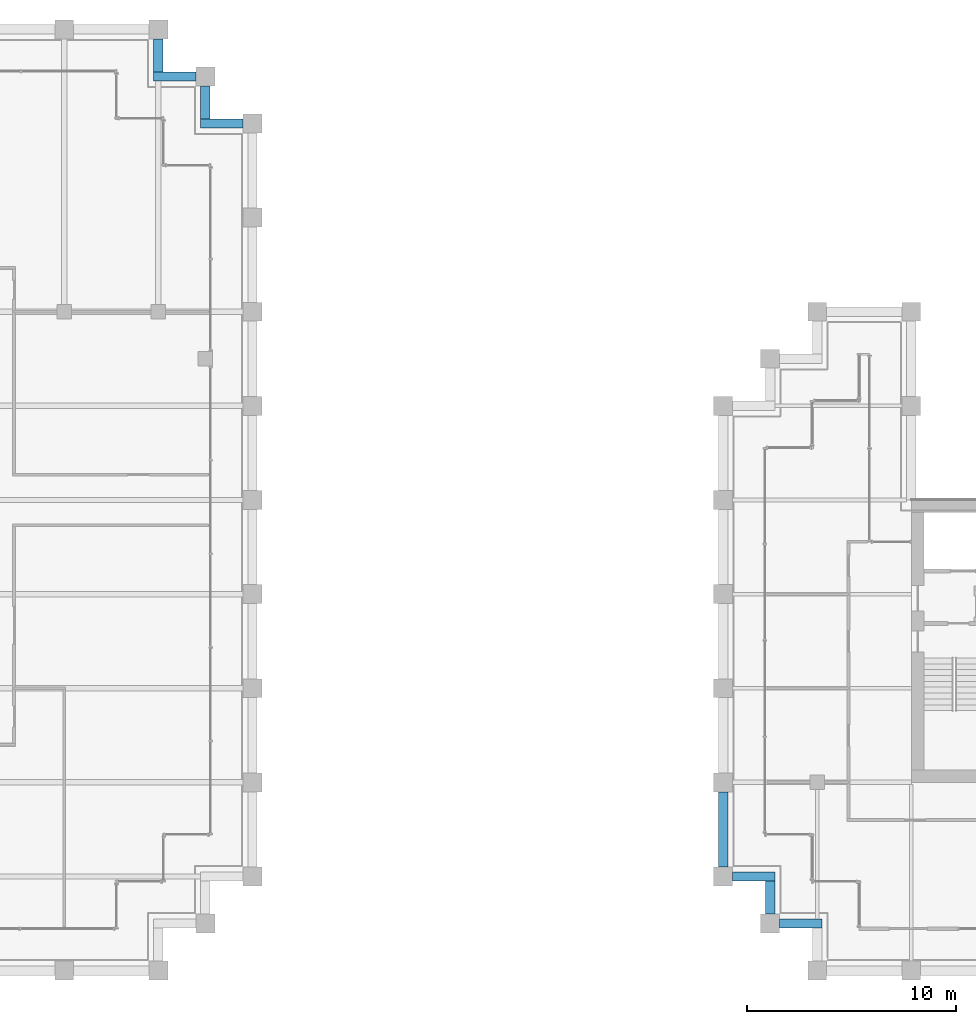
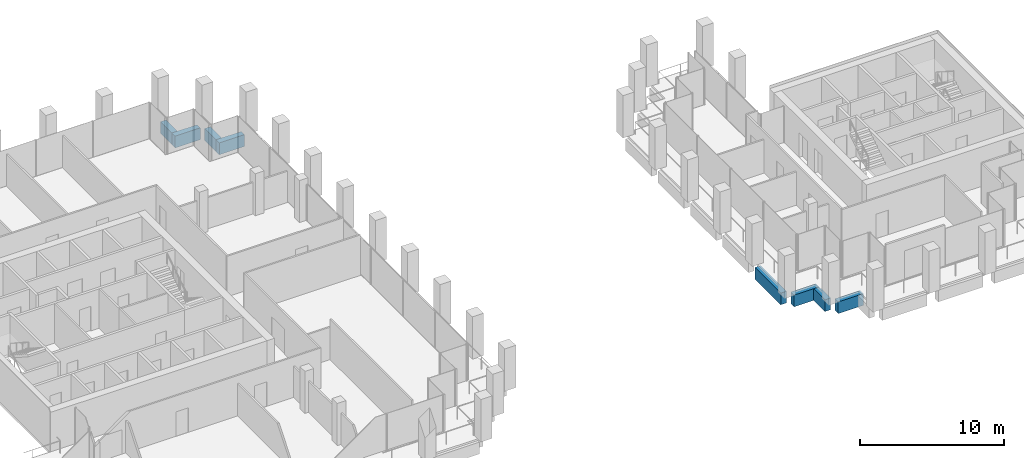
# One storey, part 27 of 40: 8 beams.
"""IFC4 building model written with IfcOpenShell, lengths in metres."""

from ifc_helpers import new_model, si_unit, direction, frame, origin, origin_2d, place, context, subcontext, project, spatial, rectangle, extrude, material, material_profile, profile_set, type_object, element, save


model = new_model("IFC4")

# Units and contexts
model_context = context("Model", 3, precision=1e-05, world=origin(), true_north=direction((0.0, 1.0)))
body_context = subcontext(model_context, "Body", "Model", "MODEL_VIEW")
ifc_project = project(units=[si_unit("LENGTHUNIT", "METRE"), si_unit("AREAUNIT", "SQUARE_METRE"), si_unit("VOLUMEUNIT", "CUBIC_METRE"), si_unit("PLANEANGLEUNIT", "RADIAN"), si_unit("MASSUNIT", "GRAM", prefix="KILO")], contexts=[model_context])

# Site, building, storey
site_placement = place(None, origin())
site = spatial("IfcSite", under=ifc_project, at=site_placement, CompositionType="ELEMENT")
building_placement = place(site_placement, origin())
building = spatial("IfcBuilding", under=site, at=building_placement, Name="Altepetl Exchange Towers", CompositionType="ELEMENT")
storey_placement = place(building_placement, frame((0.0, 0.0, 169.0)))
storey = spatial("IfcBuildingStorey", under=building, at=storey_placement, Name="L42", CompositionType="ELEMENT", Elevation=169.0)

# Beams
ifc_material_1 = material(Name="Concrete C50/60 precast with cantera rosa facing", Category="concrete")
ifc_material_profile_1 = material_profile(ifc_material_1, rectangle(XDim=0.449951171875, YDim=1.0, at=origin_2d()), Name="450 x 1000")
ifc_profile_set_1 = profile_set([ifc_material_profile_1], Name="Concrete C50/60 precast with cantera rosa facing")
beam_type_1 = type_object("IfcBeamType", Name="Spandrel beam 450x1000 cantera rosa", PredefinedType="SPANDREL", material=ifc_profile_set_1)
beam_1_placement = place(storey_placement, frame((71.550048828125, 67.5, -0.64990234375), z_axis=(-1.0, 0.0, 0.0), x_axis=(0.0, -1.0, 0.0)))
element("IfcBeam", 1, at=beam_1_placement, inside=storey, type_object=beam_type_1, Name="sp:A:L42:020", PredefinedType="SPANDREL", context=body_context, shape_type="SweptSolid", body=[
    extrude(rectangle(XDim=0.449951171875, YDim=1.0, at=origin_2d()), origin(), (0.0, 0.0, 1.0), 2.025146484375),
])
beam_2_placement = place(storey_placement, frame((69.75, 67.72509765625, -0.64990234375), z_axis=(0.0, 1.0, 0.0), x_axis=(-1.0, 0.0, 0.0)))
element("IfcBeam", 2, at=beam_2_placement, inside=storey, type_object=beam_type_1, Name="sp:A:L42:021", PredefinedType="SPANDREL", context=body_context, shape_type="SweptSolid", body=[
    extrude(rectangle(XDim=0.449951171875, YDim=1.0, at=origin_2d()), origin(), (0.0, 0.0, 1.0), 1.574951171875),
])
beam_3_placement = place(storey_placement, frame((69.300048828125, 69.75, -0.64990234375), z_axis=(-1.0, 0.0, 0.0), x_axis=(0.0, -1.0, 0.0)))
element("IfcBeam", 3, at=beam_3_placement, inside=storey, type_object=beam_type_1, Name="sp:A:L42:022", PredefinedType="SPANDREL", context=body_context, shape_type="SweptSolid", body=[
    extrude(rectangle(XDim=0.449951171875, YDim=1.0, at=origin_2d()), origin(), (0.0, 0.0, 1.0), 2.025146484375),
])
beam_4_placement = place(storey_placement, frame((67.5, 69.97509765625, -0.64990234375), z_axis=(0.0, 1.0, 0.0), x_axis=(-1.0, 0.0, 0.0)))
element("IfcBeam", 4, at=beam_4_placement, inside=storey, type_object=beam_type_1, Name="sp:A:L42:023", PredefinedType="SPANDREL", context=body_context, shape_type="SweptSolid", body=[
    extrude(rectangle(XDim=0.449951171875, YDim=1.0, at=origin_2d()), origin(), (0.0, 0.0, 1.0), 1.574951171875),
])
ifc_material_2 = material(Name="Concrete C50/60 precast with tezontle facing", Category="concrete")
ifc_material_profile_2 = material_profile(ifc_material_2, rectangle(XDim=0.449951171875, YDim=1.0, at=origin_2d()), Name="450 x 1000")
ifc_profile_set_2 = profile_set([ifc_material_profile_2], Name="Concrete C50/60 precast with tezontle facing")
beam_type_2 = type_object("IfcBeamType", Name="Spandrel beam 450x1000 tezontle", PredefinedType="SPANDREL", material=ifc_profile_set_2)
beam_5_placement = place(storey_placement, frame((94.5, 35.550048828125, -0.64990234375), z_axis=(0.0, -1.0, 0.0), x_axis=(1.0, 0.0, 0.0)))
element("IfcBeam", 5, at=beam_5_placement, inside=storey, type_object=beam_type_2, Name="sp:B:L42:019", PredefinedType="SPANDREL", context=body_context, shape_type="SweptSolid", body=[
    extrude(rectangle(XDim=0.449951171875, YDim=1.0, at=origin_2d()), origin(), (0.0, 0.0, 1.0), 3.60009765625),
])
beam_6_placement = place(storey_placement, frame((94.949951171875, 31.5, -0.64990234375), z_axis=(1.0, 0.0, 0.0), x_axis=(0.0, 1.0, 0.0)))
element("IfcBeam", 6, at=beam_6_placement, inside=storey, type_object=beam_type_2, Name="sp:B:L42:020", PredefinedType="SPANDREL", context=body_context, shape_type="SweptSolid", body=[
    extrude(rectangle(XDim=0.449951171875, YDim=1.0, at=origin_2d()), origin(), (0.0, 0.0, 1.0), 2.025146484375),
])
beam_7_placement = place(storey_placement, frame((96.75, 31.27490234375, -0.64990234375), z_axis=(0.0, -1.0, 0.0), x_axis=(1.0, 0.0, 0.0)))
element("IfcBeam", 7, at=beam_7_placement, inside=storey, type_object=beam_type_2, Name="sp:B:L42:021", PredefinedType="SPANDREL", context=body_context, shape_type="SweptSolid", body=[
    extrude(rectangle(XDim=0.449951171875, YDim=1.0, at=origin_2d()), origin(), (0.0, 0.0, 1.0), 1.574951171875),
])
beam_8_placement = place(storey_placement, frame((97.199951171875, 29.25, -0.64990234375), z_axis=(1.0, 0.0, 0.0), x_axis=(0.0, 1.0, 0.0)))
element("IfcBeam", 8, at=beam_8_placement, inside=storey, type_object=beam_type_2, Name="sp:B:L42:022", PredefinedType="SPANDREL", context=body_context, shape_type="SweptSolid", body=[
    extrude(rectangle(XDim=0.449951171875, YDim=1.0, at=origin_2d()), origin(), (0.0, 0.0, 1.0), 2.025146484375),
])

save(model, "model.ifc")
